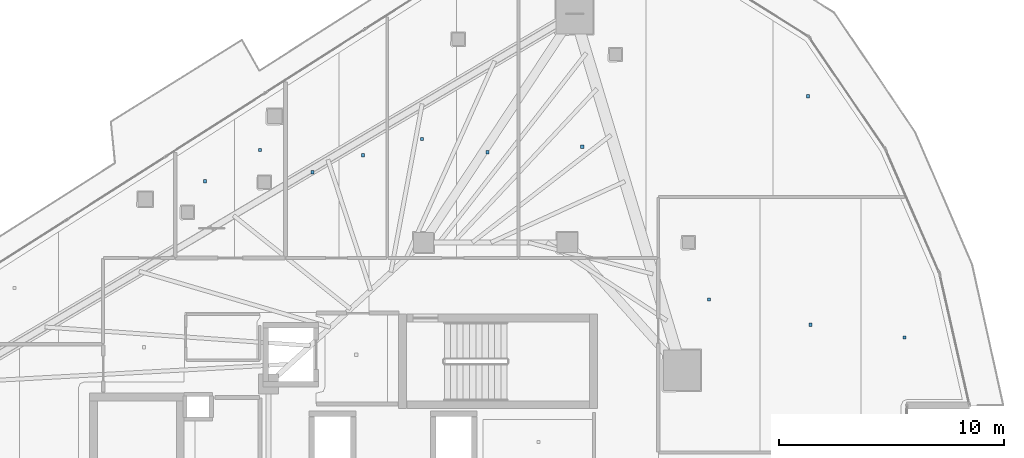
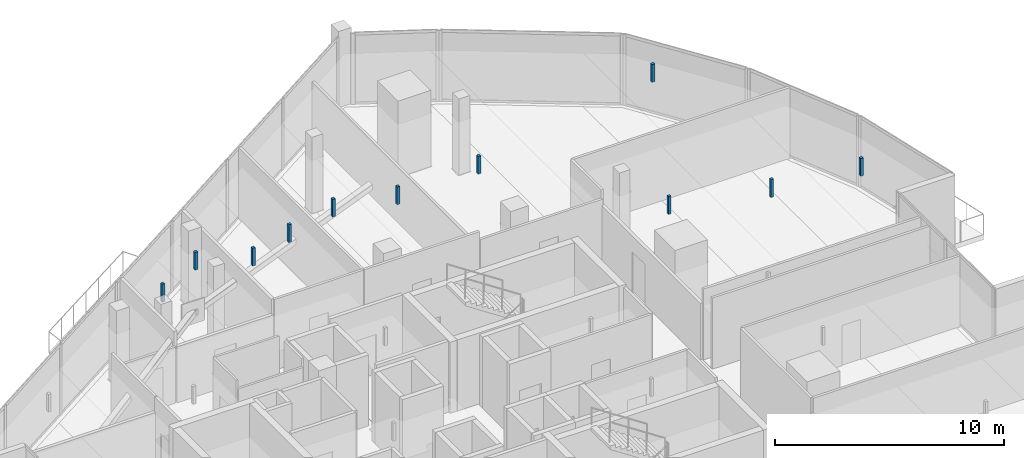
# One storey, part 34 of 40: 11 discrete accessories.
"""IFC4 building model written with IfcOpenShell, lengths in metres."""

import ifcopenshell
import ifcopenshell.guid

model = None  # the IFC model being written
_history = None  # IfcOwnerHistory: only IFC2X3 demands one
_inside = {}  # id of a spatial element -> (the spatial element, [elements in it])
_under = {}  # id of a project, library or spatial element -> (it, [spatial elements below it])
_declared = {}  # id of a project -> (the project, [libraries it declares])
_typed = {}  # id of a type object -> (the type object, [elements of that type])
_made_of = {}  # id of a material, layer set ... -> (it, [elements and type objects made of it])


def new_model(schema):
    """Start an empty IFC model of exactly this schema.

    Asked for "IFC4X3", IfcOpenShell would pick the latest addendum, in which some entities
    have other attributes; the version numbers below select the first issue.
    IFC2X3 requires an IfcOwnerHistory on every rooted entity: one is made here for all.
    """
    global model, _history
    if schema == "IFC4X3":
        model = ifcopenshell.file(schema_version=(4, 3, 0, 0))
    else:
        model = ifcopenshell.file(schema=schema)
    _inside.clear()
    _under.clear()
    _declared.clear()
    _typed.clear()
    _made_of.clear()
    _history = None
    if model.schema == "IFC2X3":
        org = make("IfcOrganization", Name="unknown")
        user = make(
            "IfcPersonAndOrganization",
            ThePerson=make("IfcPerson", FamilyName="unknown"),
            TheOrganization=org,
        )
        app = make(
            "IfcApplication",
            ApplicationDeveloper=org,
            Version="unknown",
            ApplicationFullName="unknown",
            ApplicationIdentifier="unknown",
        )
        _history = make(
            "IfcOwnerHistory",
            OwningUser=user,
            OwningApplication=app,
            ChangeAction="ADDED",
            CreationDate=0,
        )
    return model


def make(cls, **values):
    """One entity of the class cls with the attributes given. An attribute that is None is left unset."""
    return model.create_entity(
        cls, **{name: value for name, value in values.items() if value is not None}
    )


def rooted(cls, **values):
    """An entity with a GlobalId (a new one), such as an element, a storey or a relation."""
    return make(cls, GlobalId=ifcopenshell.guid.new(), OwnerHistory=_history, **values)


def si_unit(unit_type, name, prefix=None):
    """IfcSIUnit, for example si_unit("LENGTHUNIT", "METRE", prefix="MILLI")."""
    return make("IfcSIUnit", UnitType=unit_type, Prefix=prefix, Name=name)


def assignment(units):
    """IfcUnitAssignment: the units of a project."""
    return None if units is None else make("IfcUnitAssignment", Units=units)


def point(xyz):
    """IfcCartesianPoint."""
    return None if xyz is None else make("IfcCartesianPoint", Coordinates=xyz)


def direction(xyz):
    """IfcDirection."""
    return None if xyz is None else make("IfcDirection", DirectionRatios=xyz)


def frame(location, z_axis=None, x_axis=None):
    """IfcAxis2Placement3D, a coordinate frame: its origin and axes. An axis left out is left unset."""
    return make(
        "IfcAxis2Placement3D",
        Location=point(location),
        Axis=direction(z_axis),
        RefDirection=direction(x_axis),
    )


def frame_2d(location, x_axis=None):
    """IfcAxis2Placement2D, a coordinate frame in the plane: its origin and x axis."""
    return make(
        "IfcAxis2Placement2D", Location=point(location), RefDirection=direction(x_axis)
    )


def origin():
    """The frame at (0, 0, 0) with its axes left unset."""
    return frame((0.0, 0.0, 0.0))


def origin_2d():
    """The frame at (0, 0) in the plane with its x axis left unset."""
    return frame_2d((0.0, 0.0))


def place(relative_to, where):
    """IfcLocalPlacement: puts the frame where relative to a parent placement (None: the world)."""
    return make(
        "IfcLocalPlacement", PlacementRelTo=relative_to, RelativePlacement=where
    )


def context(
    kind, dimensions, precision=None, world=None, true_north=None, identifier=None
):
    """IfcGeometricRepresentationContext, for example the 3D "Model" context."""
    return make(
        "IfcGeometricRepresentationContext",
        ContextIdentifier=identifier,
        ContextType=kind,
        CoordinateSpaceDimension=dimensions,
        Precision=precision,
        WorldCoordinateSystem=world,
        TrueNorth=true_north,
    )


def subcontext(parent, identifier, kind, view, scale=None):
    """IfcGeometricRepresentationSubContext, for example "Body" below "Model"."""
    return make(
        "IfcGeometricRepresentationSubContext",
        ContextIdentifier=identifier,
        ContextType=kind,
        ParentContext=parent,
        TargetScale=scale,
        TargetView=view,
    )


def project(units=None, contexts=None):
    """IfcProject with its units and contexts."""
    return rooted(
        "IfcProject",
        Name="project",
        RepresentationContexts=contexts,
        UnitsInContext=assignment(units),
    )


def spatial(cls, under=None, at=None, **own):
    """A site, building, storey or space (cls), placed at a placement, below another one or the project."""
    s = rooted(cls, ObjectPlacement=at, **own)
    if under is not None:
        _under.setdefault(under.id(), (under, []))[1].append(s)
    return s


def profile(cls, at=None, kind="AREA", **sizes):
    """A parametric profile (cls). Its sizes go by their IFC names, for example OverallWidth=200.0."""
    return make(cls, ProfileType=kind, Position=at, **sizes)


def rectangle(**sizes):
    """IfcRectangleProfileDef."""
    return profile("IfcRectangleProfileDef", **sizes)


def extrude(swept, where, along, depth):
    """IfcExtrudedAreaSolid: the profile swept, set in the frame where, extruded along a direction by depth."""
    return make(
        "IfcExtrudedAreaSolid",
        SweptArea=swept,
        Position=where,
        ExtrudedDirection=direction(along),
        Depth=depth,
    )


def shape(context_of_items, identifier, shape_type, items):
    """IfcShapeRepresentation: the items that make up one representation, for example the "Body"."""
    return make(
        "IfcShapeRepresentation",
        ContextOfItems=context_of_items,
        RepresentationIdentifier=identifier,
        RepresentationType=shape_type,
        Items=items,
    )


def material(Name=None, Category=None):
    """IfcMaterial."""
    return make("IfcMaterial", Name=Name, Category=Category)


def made_of(thing, what):
    """Note that an element or type object is made of a material, layer set ...; save() writes the relation."""
    if what is not None:
        _made_of.setdefault(what.id(), (what, []))[1].append(thing)
    return thing


def type_object(cls, material=None, **own):
    """A type object (cls), such as IfcWallType, which elements share."""
    return made_of(rooted(cls, **own), material)


def element(
    cls,
    number,
    at=None,
    inside=None,
    cuts=None,
    type_object=None,
    material=None,
    context=None,
    identifier="Body",
    shape_type=None,
    held_by="IfcProductDefinitionShape",
    body=None,
    shapes=None,
    **own,
):
    """One element of the class cls, such as IfcWall. Its Tag is "e" and its number.

    at: its placement. inside: the storey or other place that contains it. cuts: it is an
    opening in that element (IfcRelVoidsElement). A single representation is given by context,
    identifier, shape_type and body (its items); several are given by shapes. held_by: the class
    of the entity that holds the representations. save() writes the other relations.
    """
    e = rooted(cls, Tag="e%d" % number, ObjectPlacement=at, **own)
    if body is not None:
        shapes = [shape(context, identifier, shape_type, body)]
    if shapes is not None:
        e.Representation = make(held_by, Representations=shapes)
    if inside is not None:
        _inside.setdefault(inside.id(), (inside, []))[1].append(e)
    if cuts is not None:
        rooted(
            "IfcRelVoidsElement", RelatingBuildingElement=cuts, RelatedOpeningElement=e
        )
    if type_object is not None:
        _typed.setdefault(type_object.id(), (type_object, []))[1].append(e)
    return made_of(e, material)


def aggregate(whole, parts):
    """IfcRelAggregates: a whole, such as a stair, and the parts it consists of."""
    return rooted("IfcRelAggregates", RelatingObject=whole, RelatedObjects=parts)


def save(model, path):
    """Write the relations noted so far, then the file.

    IfcRelAggregates (storeys below a building ...), IfcRelContainedInSpatialStructure (elements
    in a storey), IfcRelDefinesByType, IfcRelAssociatesMaterial and IfcRelDeclares: one each for
    every whole, place, type object, material and project.
    """
    for whole, parts in _under.values():
        aggregate(whole, parts)
    for where, things in _inside.values():
        rooted(
            "IfcRelContainedInSpatialStructure",
            RelatedElements=things,
            RelatingStructure=where,
        )
    for kind, things in _typed.values():
        rooted("IfcRelDefinesByType", RelatedObjects=things, RelatingType=kind)
    for what, things in _made_of.values():
        rooted("IfcRelAssociatesMaterial", RelatedObjects=things, RelatingMaterial=what)
    for by, libraries in _declared.values():
        rooted("IfcRelDeclares", RelatingContext=by, RelatedDefinitions=libraries)
    model.write(path)


model = new_model("IFC4")

# Units and contexts
model_context = context("Model", 3, precision=1e-05, world=origin(), true_north=direction((0.0, 1.0)))
body_context = subcontext(model_context, "Body", "Model", "MODEL_VIEW")
ifc_project = project(units=[si_unit("LENGTHUNIT", "METRE"), si_unit("AREAUNIT", "SQUARE_METRE"), si_unit("VOLUMEUNIT", "CUBIC_METRE"), si_unit("PLANEANGLEUNIT", "RADIAN"), si_unit("MASSUNIT", "GRAM", prefix="KILO")], contexts=[model_context])

# Site, building, storey
site_placement = place(None, origin())
site = spatial("IfcSite", under=ifc_project, at=site_placement, CompositionType="ELEMENT")
building_placement = place(site_placement, origin())
building = spatial("IfcBuilding", under=site, at=building_placement, Name="Qorvath Tower", CompositionType="ELEMENT")
storey_placement = place(building_placement, frame((0.0, 0.0, 225.300048828125)))
storey = spatial("IfcBuildingStorey", under=building, at=storey_placement, Name="L52", CompositionType="ELEMENT", Elevation=225.300048828125)

# Discrete accessories
ifc_material = material(Name="Galvanised steel bracket", Category="steel")
discrete_accessory_type = type_object("IfcDiscreteAccessoryType", Name="DA-BRACKET", PredefinedType="BRACKET", material=ifc_material)
for number, where, z_axis, x_axis, name in (
    (1, (-33.324951171875, 14.17626953125, 2.85986328125), (0.0, 0.0, 1.0), (1.0, 0.0, 0.0), "Acoustic Ceiling Suspension Hanger T1-L52-012"),
    (2, (-30.87451171875, 15.55810546875, 2.85986328125), (0.0, 0.0, 1.0), (1.0, 0.0, 0.0), "Acoustic Ceiling Suspension Hanger T1-L52-013"),
    (3, (-28.5390625, 14.574951171875, 2.85986328125), (0.0, 0.0, 1.0), (1.0, 0.0, 0.0), "Acoustic Ceiling Suspension Hanger T1-L52-014"),
    (4, (-26.28515625, 15.333251953125, 2.85986328125), (0.0, 0.0, 1.0), (1.0, 0.0, 0.0), "Acoustic Ceiling Suspension Hanger T1-L52-015"),
    (5, (-23.662109375, 16.05126953125, 2.85986328125), (0.0, 0.0, 1.0), (1.0, 0.0, 0.0), "Acoustic Ceiling Suspension Hanger T1-L52-016"),
    (6, (-20.751708984375, 15.46435546875, 2.85986328125), (0.0, 0.0, 1.0), (1.0, 0.0, 0.0), "Acoustic Ceiling Suspension Hanger T1-L52-017"),
    (7, (-16.530517578125, 15.712646484375, 2.85986328125), (0.0, 0.0, 1.0), (1.0, 0.0, 0.0), "Acoustic Ceiling Suspension Hanger T1-L52-018"),
    (8, (-6.47998046875, 17.958251953125, 2.85986328125), (0.0, 0.0, 1.0), (1.0, 0.0, 0.0), "Acoustic Ceiling Suspension Hanger T1-L52-020"),
    (9, (-10.882080078125, 8.90771484375, 2.85986328125), (0.0, 0.0, 1.0), (1.0, 0.0, 0.0), "Acoustic Ceiling Suspension Hanger T1-L52-036"),
    (10, (-6.371826171875, 7.78515625, 2.85986328125), (0.0, 0.0, 1.0), (1.0, 0.0, 0.0), "Acoustic Ceiling Suspension Hanger T1-L52-037"),
    (11, (-2.177490234375, 7.224609375, 2.85986328125), (0.0, 0.0, 1.0), (1.0, 0.0, 0.0), "Acoustic Ceiling Suspension Hanger T1-L52-038"),
):
    element("IfcDiscreteAccessory", number, at=place(storey_placement, frame(where, z_axis=z_axis, x_axis=x_axis)), inside=storey, type_object=discrete_accessory_type, Name=name, PredefinedType="NOTDEFINED", context=body_context, shape_type="SweptSolid", body=[
        extrude(rectangle(XDim=0.139892578125, YDim=0.139892578125, at=origin_2d()), origin(), (0.0, 0.0, 1.0), 0.9501953125),
    ])

save(model, "model.ifc")
